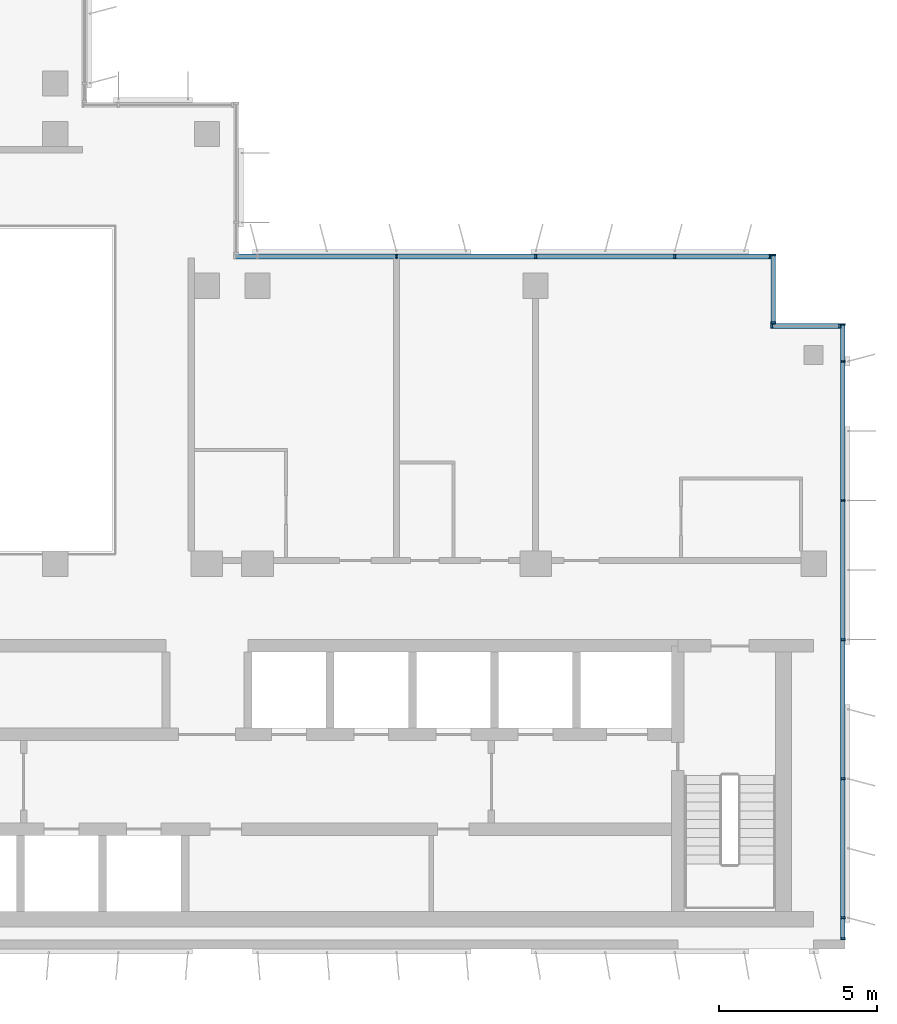
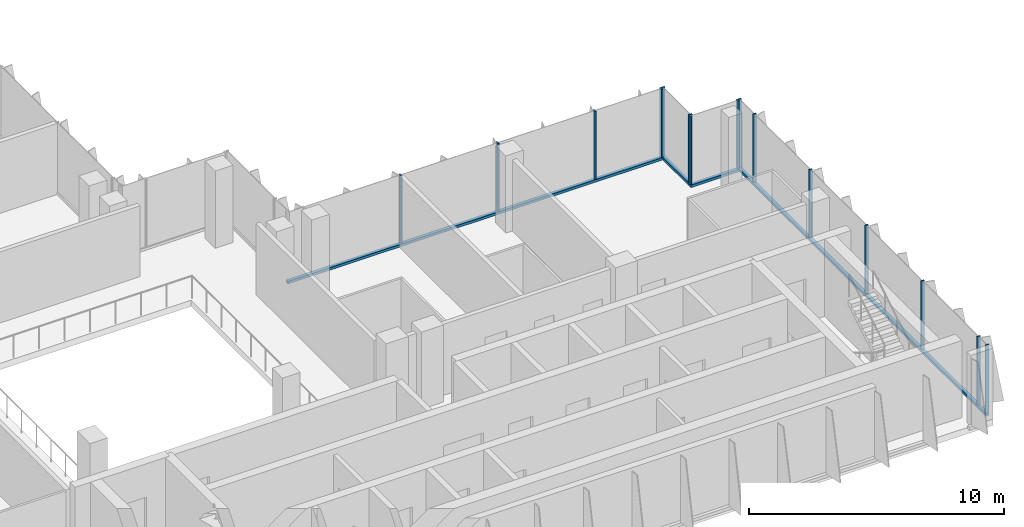
# One storey, part 3 of 15: 19 members, 4 elements without a shape of their own.
"""IFC4 building model written with IfcOpenShell, lengths in metres."""

from ifc_helpers import new_model, si_unit, direction, frame, origin, origin_2d, place, context, subcontext, project, spatial, rectangle, extrude, source, transform, mapped, material, material_profile, profile_set, type_object, element, aggregate, save


model = new_model("IFC4")

# Units and contexts
model_context = context("Model", 3, precision=1e-05, world=origin(), true_north=direction((0.0, 1.0)))
body_context = subcontext(model_context, "Body", "Model", "MODEL_VIEW")
ifc_project = project(units=[si_unit("LENGTHUNIT", "METRE"), si_unit("AREAUNIT", "SQUARE_METRE"), si_unit("VOLUMEUNIT", "CUBIC_METRE"), si_unit("PLANEANGLEUNIT", "RADIAN"), si_unit("MASSUNIT", "GRAM", prefix="KILO")], contexts=[model_context])

# Site, building, storey
site_placement = place(None, origin())
site = spatial("IfcSite", under=ifc_project, at=site_placement, CompositionType="ELEMENT")
building_placement = place(site_placement, origin())
building = spatial("IfcBuilding", under=site, at=building_placement, Name="Kemantara Hotel Tower", CompositionType="ELEMENT")
storey_placement = place(building_placement, frame((0.0, 0.0, 264.800048828125)))
storey = spatial("IfcBuildingStorey", under=building, at=storey_placement, Name="L66", CompositionType="ELEMENT", Elevation=264.800048828125)

# Curtain wall, member
ifc_material_1 = material(Name="Low-E tinted double insulated glass 36 mm", Category="glass")
curtain_wall_type = type_object("IfcCurtainWallType", Name="TOWER CURTAIN WALL, FRONT FACES", PredefinedType="USERDEFINED", material=ifc_material_1)
curtain_wall_1_placement = place(storey_placement, origin())
curtain_wall_1 = element("IfcCurtainWall", 1, at=curtain_wall_1_placement, inside=storey, type_object=curtain_wall_type, Name="CW4 L66 T4-R09-1", ObjectType="TOWER CURTAIN WALL, FRONT FACES", PredefinedType="USERDEFINED")
ifc_material_2 = material(Name="Aluminium 6063-T6 bronze anodised", Category="aluminium")
ifc_material_profile_1 = material_profile(ifc_material_2, rectangle(XDim=0.14990234375, YDim=0.1201171875, at=origin_2d()), Name="TOWER CURTAIN WALL, FRONT FACES TRANSOM")
ifc_profile_set_1 = profile_set([ifc_material_profile_1], Name="Aluminium 6063-T6 bronze anodised")
member_type_1 = type_object("IfcMemberType", Name="TOWER CURTAIN WALL, FRONT FACES TRANSOM", PredefinedType="USERDEFINED", material=ifc_profile_set_1)
member_1_placement = place(storey_placement, frame((45.925048828125, 0.300048828125, 0.06005859375), z_axis=(0.0, 1.0, 0.0), x_axis=(-1.0, 0.0, 0.0)))
member_1 = element("IfcMember", 2, at=member_1_placement, type_object=member_type_1, Name="CW4 sill transom T4-R09-1", ObjectType="TRANSOM", PredefinedType="USERDEFINED", context=body_context, shape_type="SweptSolid", body=[
    extrude(rectangle(XDim=0.14990234375, YDim=0.1201171875, at=origin_2d()), origin(), (0.0, 0.0, 1.0), 19.5),
])

curtain_wall_2_placement = place(storey_placement, origin())
curtain_wall_2 = element("IfcCurtainWall", 3, at=curtain_wall_2_placement, inside=storey, type_object=curtain_wall_type, Name="CW4 L66 T4-R12-1", ObjectType="TOWER CURTAIN WALL, FRONT FACES", PredefinedType="USERDEFINED")
member_2_placement = place(storey_placement, frame((43.64990234375, 21.925048828125, 0.06005859375), z_axis=(-1.0, 0.0, 0.0), x_axis=(0.0, -1.0, 0.0)))
member_2 = element("IfcMember", 4, at=member_2_placement, type_object=member_type_1, Name="CW4 sill transom T4-R12-1", ObjectType="TRANSOM", PredefinedType="USERDEFINED", context=body_context, shape_type="SweptSolid", body=[
    extrude(rectangle(XDim=0.14990234375, YDim=0.1201171875, at=origin_2d()), origin(), (0.0, 0.0, 1.0), 17.0),
])

curtain_wall_3_placement = place(storey_placement, origin())
curtain_wall_3 = element("IfcCurtainWall", 5, at=curtain_wall_3_placement, inside=storey, type_object=curtain_wall_type, Name="CW4 L66 T4-R10-1", ObjectType="TOWER CURTAIN WALL, FRONT FACES", PredefinedType="USERDEFINED")
member_3_placement = place(storey_placement, frame((45.85009765625, 19.72509765625, 0.06005859375), z_axis=(-1.0, 0.0, 0.0), x_axis=(0.0, -1.0, 0.0)))
member_3 = element("IfcMember", 6, at=member_3_placement, type_object=member_type_1, Name="CW4 sill transom T4-R10-1", ObjectType="TRANSOM", PredefinedType="USERDEFINED", context=body_context, shape_type="SweptSolid", body=[
    extrude(rectangle(XDim=0.14990234375, YDim=0.1201171875, at=origin_2d()), origin(), (0.0, 0.0, 1.0), 2.2001953125),
])

curtain_wall_4_placement = place(storey_placement, origin())
curtain_wall_4 = element("IfcCurtainWall", 7, at=curtain_wall_4_placement, inside=storey, type_object=curtain_wall_type, Name="CW4 L66 T4-R11-1", ObjectType="TOWER CURTAIN WALL, FRONT FACES", PredefinedType="USERDEFINED")
member_4_placement = place(storey_placement, frame((43.72509765625, 19.800048828125, 0.06005859375), z_axis=(0.0, 1.0, 0.0), x_axis=(-1.0, 0.0, 0.0)))
member_4 = element("IfcMember", 8, at=member_4_placement, type_object=member_type_1, Name="CW4 sill transom T4-R11-1", ObjectType="TRANSOM", PredefinedType="USERDEFINED", context=body_context, shape_type="SweptSolid", body=[
    extrude(rectangle(XDim=0.14990234375, YDim=0.1201171875, at=origin_2d()), origin(), (0.0, 0.0, 1.0), 2.199951171875),
])

# Member
ifc_material_profile_2 = material_profile(ifc_material_2, rectangle(XDim=0.14990234375, YDim=0.06005859375, at=origin_2d()), Name="TOWER CURTAIN WALL, FRONT FACES MULLION")
ifc_profile_set_2 = profile_set([ifc_material_profile_2], Name="Aluminium 6063-T6 bronze anodised")
member_type_2 = type_object("IfcMemberType", Name="TOWER CURTAIN WALL, FRONT FACES MULLION", PredefinedType="MULLION", material=ifc_profile_set_2)
shared_shape = source(origin(), body_context, "Body", "SweptSolid", [
    extrude(rectangle(XDim=0.14990234375, YDim=0.06005859375, at=origin_2d()), origin(), (0.0, 0.0, 1.0), 3.280029296875),
])
member_5_placement = place(storey_placement, frame((45.925048828125, 0.330078125, 0.119873046875), z_axis=(0.0, 0.0, 1.0), x_axis=(-1.0, 0.0, 0.0)))
member_5 = element("IfcMember", 9, at=member_5_placement, type_object=member_type_2, Name="CW4 mullion T4-R09-1.1", PredefinedType="MULLION", context=body_context, shape_type="MappedRepresentation", body=[
    mapped(shared_shape, transform((0.0, 0.0, 0.0))),
])

member_6_placement = place(storey_placement, frame((45.925048828125, 1.0, 0.119873046875), z_axis=(0.0, 0.0, 1.0), x_axis=(-1.0, 0.0, 0.0)))
member_6 = element("IfcMember", 10, at=member_6_placement, type_object=member_type_2, Name="CW4 mullion T4-R09-1.2", PredefinedType="MULLION", context=body_context, shape_type="MappedRepresentation", body=[
    mapped(shared_shape, transform((0.0, 0.0, 0.0))),
])

member_7_placement = place(storey_placement, frame((45.925048828125, 5.39990234375, 0.119873046875), z_axis=(0.0, 0.0, 1.0), x_axis=(-1.0, 0.0, 0.0)))
member_7 = element("IfcMember", 11, at=member_7_placement, type_object=member_type_2, Name="CW4 mullion T4-R09-1.3", PredefinedType="MULLION", context=body_context, shape_type="MappedRepresentation", body=[
    mapped(shared_shape, transform((0.0, 0.0, 0.0))),
])

member_8_placement = place(storey_placement, frame((45.925048828125, 9.800048828125, 0.119873046875), z_axis=(0.0, 0.0, 1.0), x_axis=(-1.0, 0.0, 0.0)))
member_8 = element("IfcMember", 12, at=member_8_placement, type_object=member_type_2, Name="CW4 mullion T4-R09-1.4", PredefinedType="MULLION", context=body_context, shape_type="MappedRepresentation", body=[
    mapped(shared_shape, transform((0.0, 0.0, 0.0))),
])

member_9_placement = place(storey_placement, frame((45.925048828125, 14.199951171875, 0.119873046875), z_axis=(0.0, 0.0, 1.0), x_axis=(-1.0, 0.0, 0.0)))
member_9 = element("IfcMember", 13, at=member_9_placement, type_object=member_type_2, Name="CW4 mullion T4-R09-1.5", PredefinedType="MULLION", context=body_context, shape_type="MappedRepresentation", body=[
    mapped(shared_shape, transform((0.0, 0.0, 0.0))),
])

member_10_placement = place(storey_placement, frame((45.925048828125, 18.60009765625, 0.119873046875), z_axis=(0.0, 0.0, 1.0), x_axis=(-1.0, 0.0, 0.0)))
member_10 = element("IfcMember", 14, at=member_10_placement, type_object=member_type_2, Name="CW4 mullion T4-R09-1.6", PredefinedType="MULLION", context=body_context, shape_type="MappedRepresentation", body=[
    mapped(shared_shape, transform((0.0, 0.0, 0.0))),
])

member_11_placement = place(storey_placement, frame((45.925048828125, 19.77001953125, 0.119873046875), z_axis=(0.0, 0.0, 1.0), x_axis=(-1.0, 0.0, 0.0)))
member_11 = element("IfcMember", 15, at=member_11_placement, type_object=member_type_2, Name="CW4 mullion T4-R09-1.7", PredefinedType="MULLION", context=body_context, shape_type="MappedRepresentation", body=[
    mapped(shared_shape, transform((0.0, 0.0, 0.0))),
])

aggregate(curtain_wall_1, [member_1, member_5, member_6, member_7, member_8, member_9, member_10, member_11])

member_12_placement = place(storey_placement, frame((43.6201171875, 21.925048828125, 0.119873046875), z_axis=(0.0, 0.0, 1.0), x_axis=(0.0, -1.0, 0.0)))
member_12 = element("IfcMember", 16, at=member_12_placement, type_object=member_type_2, Name="CW4 mullion T4-R12-1.1", PredefinedType="MULLION", context=body_context, shape_type="MappedRepresentation", body=[
    mapped(shared_shape, transform((0.0, 0.0, 0.0))),
])

member_13_placement = place(storey_placement, frame((40.60009765625, 21.925048828125, 0.119873046875), z_axis=(0.0, 0.0, 1.0), x_axis=(0.0, -1.0, 0.0)))
member_13 = element("IfcMember", 17, at=member_13_placement, type_object=member_type_2, Name="CW4 mullion T4-R12-1.2", PredefinedType="MULLION", context=body_context, shape_type="MappedRepresentation", body=[
    mapped(shared_shape, transform((0.0, 0.0, 0.0))),
])

member_14_placement = place(storey_placement, frame((36.199951171875, 21.925048828125, 0.119873046875), z_axis=(0.0, 0.0, 1.0), x_axis=(0.0, -1.0, 0.0)))
member_14 = element("IfcMember", 18, at=member_14_placement, type_object=member_type_2, Name="CW4 mullion T4-R12-1.3", PredefinedType="MULLION", context=body_context, shape_type="MappedRepresentation", body=[
    mapped(shared_shape, transform((0.0, 0.0, 0.0))),
])

member_15_placement = place(storey_placement, frame((31.800048828125, 21.925048828125, 0.119873046875), z_axis=(0.0, 0.0, 1.0), x_axis=(0.0, -1.0, 0.0)))
member_15 = element("IfcMember", 19, at=member_15_placement, type_object=member_type_2, Name="CW4 mullion T4-R12-1.4", PredefinedType="MULLION", context=body_context, shape_type="MappedRepresentation", body=[
    mapped(shared_shape, transform((0.0, 0.0, 0.0))),
])

aggregate(curtain_wall_2, [member_2, member_12, member_13, member_14, member_15])

member_16_placement = place(storey_placement, frame((45.820068359375, 19.72509765625, 0.119873046875), z_axis=(0.0, 0.0, 1.0), x_axis=(0.0, -1.0, 0.0)))
member_16 = element("IfcMember", 20, at=member_16_placement, type_object=member_type_2, Name="CW4 mullion T4-R10-1.1", PredefinedType="MULLION", context=body_context, shape_type="MappedRepresentation", body=[
    mapped(shared_shape, transform((0.0, 0.0, 0.0))),
])

member_17_placement = place(storey_placement, frame((43.679931640625, 19.72509765625, 0.119873046875), z_axis=(0.0, 0.0, 1.0), x_axis=(0.0, -1.0, 0.0)))
member_17 = element("IfcMember", 21, at=member_17_placement, type_object=member_type_2, Name="CW4 mullion T4-R10-1.2", PredefinedType="MULLION", context=body_context, shape_type="MappedRepresentation", body=[
    mapped(shared_shape, transform((0.0, 0.0, 0.0))),
])

aggregate(curtain_wall_3, [member_3, member_16, member_17])

member_18_placement = place(storey_placement, frame((43.72509765625, 19.830078125, 0.119873046875), z_axis=(0.0, 0.0, 1.0), x_axis=(-1.0, 0.0, 0.0)))
member_18 = element("IfcMember", 22, at=member_18_placement, type_object=member_type_2, Name="CW4 mullion T4-R11-1.1", PredefinedType="MULLION", context=body_context, shape_type="MappedRepresentation", body=[
    mapped(shared_shape, transform((0.0, 0.0, 0.0))),
])

member_19_placement = place(storey_placement, frame((43.72509765625, 21.969970703125, 0.119873046875), z_axis=(0.0, 0.0, 1.0), x_axis=(-1.0, 0.0, 0.0)))
member_19 = element("IfcMember", 23, at=member_19_placement, type_object=member_type_2, Name="CW4 mullion T4-R11-1.2", PredefinedType="MULLION", context=body_context, shape_type="MappedRepresentation", body=[
    mapped(shared_shape, transform((0.0, 0.0, 0.0))),
])

aggregate(curtain_wall_4, [member_4, member_18, member_19])

save(model, "model.ifc")
